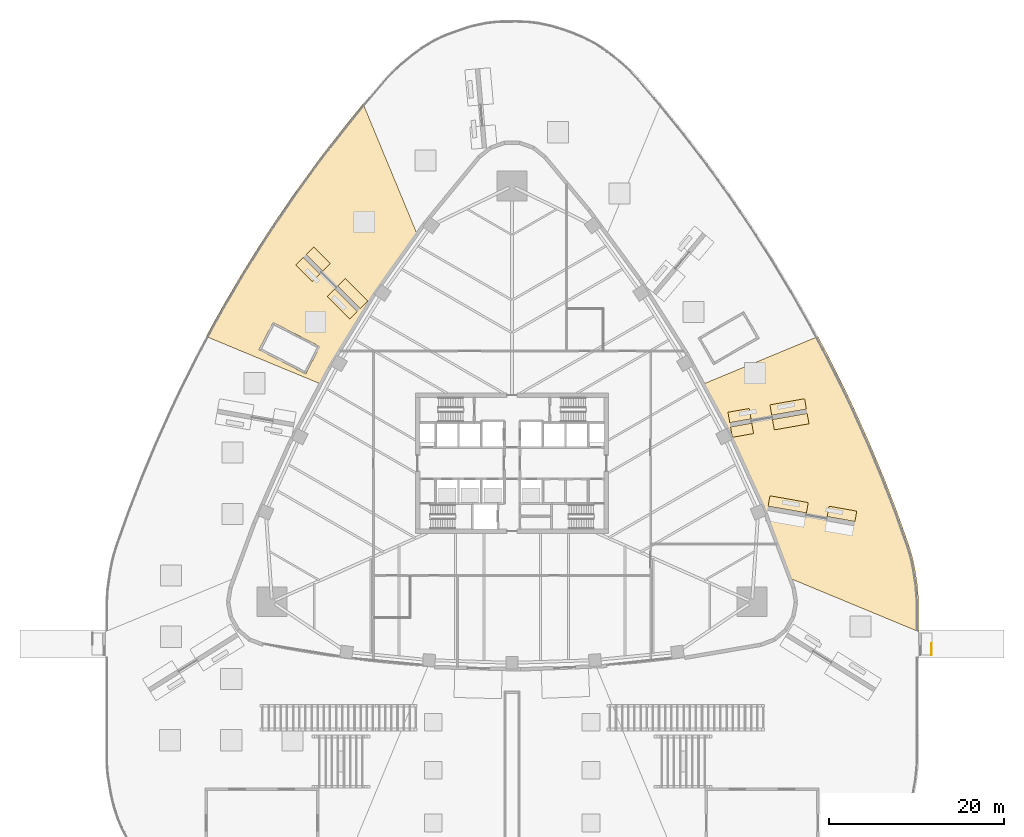
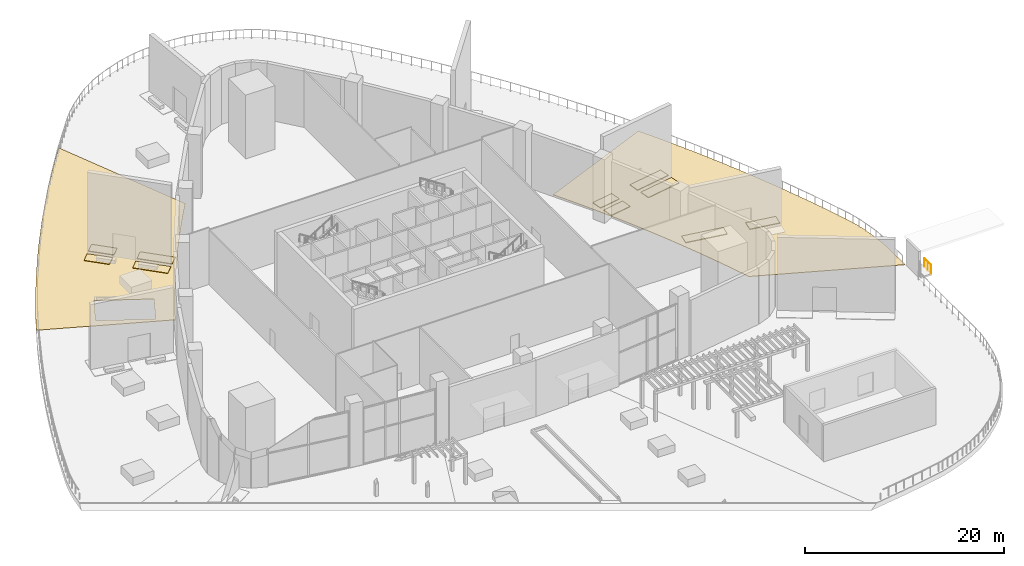
# One storey, part 18 of 20: 12 coverings, 1 railing.
"""IFC4 building model written with IfcOpenShell, lengths in metres."""

from ifc_helpers import new_model, si_unit, direction, frame, origin, origin_2d, place, context, subcontext, project, spatial, polyline, circle, outline, extrude, material, layer, layer_set, type_object, element, save


model = new_model("IFC4")

# Units and contexts
model_context = context("Model", 3, precision=1e-05, world=origin(), true_north=direction((0.0, 1.0)))
body_context = subcontext(model_context, "Body", "Model", "MODEL_VIEW")
ifc_project = project(units=[si_unit("LENGTHUNIT", "METRE"), si_unit("AREAUNIT", "SQUARE_METRE"), si_unit("VOLUMEUNIT", "CUBIC_METRE"), si_unit("PLANEANGLEUNIT", "RADIAN"), si_unit("MASSUNIT", "GRAM", prefix="KILO")], contexts=[model_context])

# Site, building, storey
site_placement = place(None, origin())
site = spatial("IfcSite", under=ifc_project, at=site_placement, CompositionType="ELEMENT")
building_placement = place(site_placement, origin())
building = spatial("IfcBuilding", under=site, at=building_placement, Name="Sierra Prisma Convention Tower", CompositionType="ELEMENT")
storey_placement = place(building_placement, frame((0.0, 0.0, 9.0)))
storey = spatial("IfcBuildingStorey", under=building, at=storey_placement, Name="L01", CompositionType="ELEMENT", Elevation=9.0)

# Coverings
ifc_material_1 = material(Name="Natural limestone pavers", Category="masonry")
ifc_layer_1 = layer(ifc_material_1, 0.06005859375)
ifc_layer_set_1 = layer_set([ifc_layer_1], Name="Deck paving, stone pavers")
covering_type_1 = type_object("IfcCoveringType", Name="Deck paving, stone pavers", PredefinedType="FLOORING", material=ifc_layer_set_1)
covering_1_placement = place(storey_placement, frame((0.0, 0.0, -0.06005859375)))
element("IfcCovering", 1, at=covering_1_placement, inside=storey, type_object=covering_type_1, Name="Deck paving 3", PredefinedType="FLOORING", context=body_context, shape_type="SweptSolid", body=[
    extrude(outline(polyline([(34.8603515625, 14.439697265625), (21.866943359375, 9.0576171875), (22.7373046875, 7.45068359375), (23.650390625, 5.70849609375), (24.539794921875, 3.954345703125), (25.405029296875, 2.18798828125), (26.246337890625, 0.41015625), (27.0634765625, -1.37890625), (27.85595703125, -3.178955078125), (28.6240234375, -4.98974609375), (29.367431640625, -6.810546875), (30.0859375, -8.6416015625), (30.779541015625, -10.48193359375), (31.447998046875, -12.331787109375), (31.728515625, -13.142333984375), (46.348388671875, -19.1982421875), (46.346923828125, -15.666259765625), (46.206787109375, -13.87548828125), (45.954833984375, -12.228515625), (45.761962890625, -11.231201171875), (45.5478515625, -10.3740234375), (45.2490234375, -9.4033203125), (43.89208984375, -5.577392578125), (42.38720703125, -1.66455078125), (40.73095703125, 2.3193359375), (38.99560546875, 6.19482421875), (37.962158203125, 8.37841796875), (36.121826171875, 12.069091796875), (34.8603515625, 14.439697265625)])), origin(), (0.0, 0.0, 1.0), 0.06005859375),
])
covering_2_placement = place(storey_placement, frame((0.0, 0.0, -0.06005859375)))
element("IfcCovering", 2, at=covering_2_placement, inside=storey, type_object=covering_type_1, Name="Deck paving 6", PredefinedType="FLOORING", context=body_context, shape_type="SweptSolid", body=[
    extrude(outline(polyline([(-34.861083984375, 14.43994140625), (-21.866943359375, 9.0576171875), (-21.800537109375, 9.18017578125), (-20.84033203125, 10.896728515625), (-19.85693359375, 12.60009765625), (-18.8505859375, 14.289794921875), (-17.821044921875, 15.9658203125), (-16.76904296875, 17.62744140625), (-15.6943359375, 19.27490234375), (-14.597412109375, 20.907470703125), (-13.478515625, 22.52490234375), (-12.337646484375, 24.126953125), (-11.175048828125, 25.713623046875), (-10.836669921875, 26.162109375), (-16.971435546875, 40.972900390625), (-16.993896484375, 40.946533203125), (-18.52587890625, 39.07861328125), (-21.07470703125, 35.83642578125), (-22.487548828125, 33.96142578125), (-24.90185546875, 30.6181640625), (-27.2958984375, 27.11083984375), (-28.615966796875, 25.087646484375), (-30.797607421875, 21.587890625), (-32.94775390625, 17.926025390625), (-34.127197265625, 15.81787109375), (-34.861083984375, 14.43994140625)]), holes=[polyline([(-21.90576171875, 13.29296875), (-23.512939453125, 10.18359375), (-28.843017578125, 12.938720703125), (-27.23583984375, 16.0478515625), (-21.90576171875, 13.29296875)])]), origin(), (0.0, 0.0, 1.0), 0.06005859375),
])
ifc_material_2 = material(Name="Crushed limestone gravel", Category="masonry")
ifc_layer_2 = layer(ifc_material_2, 0.050048828125)
ifc_layer_set_2 = layer_set([ifc_layer_2], Name="Gravel border")
covering_type_2 = type_object("IfcCoveringType", Name="Gravel border", PredefinedType="FLOORING", material=ifc_layer_set_2)
covering_3_placement = place(storey_placement, origin())
element("IfcCovering", 3, at=covering_3_placement, inside=storey, type_object=covering_type_2, Name="Wind-scour gravel border", PredefinedType="FLOORING", context=body_context, shape_type="SweptSolid", body=[
    extrude(outline(polyline([(24.815185546875, 4.62939453125), (27.236083984375, 5.056396484375), (27.027587890625, 6.238037109375), (24.60693359375, 5.811279296875), (24.815185546875, 4.62939453125)])), origin(), (0.0, 0.0, 1.0), 0.050048828125),
])
covering_4_placement = place(storey_placement, origin())
element("IfcCovering", 4, at=covering_4_placement, inside=storey, type_object=covering_type_2, Name="Wind-scour gravel border", PredefinedType="FLOORING", context=body_context, shape_type="SweptSolid", body=[
    extrude(outline(polyline([(24.902099609375, 4.13720703125), (27.32275390625, 4.56396484375), (27.53125, 3.382080078125), (25.110595703125, 2.955322265625), (24.902099609375, 4.13720703125)])), origin(), (0.0, 0.0, 1.0), 0.050048828125),
])
covering_5_placement = place(storey_placement, origin())
element("IfcCovering", 5, at=covering_5_placement, inside=storey, type_object=covering_type_2, Name="Wind-scour gravel border", PredefinedType="FLOORING", context=body_context, shape_type="SweptSolid", body=[
    extrude(outline(polyline([(29.599609375, 5.472900390625), (33.549072265625, 6.16943359375), (33.3408203125, 7.351318359375), (29.39111328125, 6.65478515625), (29.599609375, 5.472900390625)])), origin(), (0.0, 0.0, 1.0), 0.050048828125),
])
covering_6_placement = place(storey_placement, origin())
element("IfcCovering", 6, at=covering_6_placement, inside=storey, type_object=covering_type_2, Name="Wind-scour gravel border", PredefinedType="FLOORING", context=body_context, shape_type="SweptSolid", body=[
    extrude(outline(polyline([(29.686279296875, 4.980712890625), (33.635986328125, 5.677001953125), (33.84423828125, 4.495361328125), (29.894775390625, 3.798828125), (29.686279296875, 4.980712890625)])), origin(), (0.0, 0.0, 1.0), 0.050048828125),
])
covering_7_placement = place(storey_placement, origin())
element("IfcCovering", 7, at=covering_7_placement, inside=storey, type_object=covering_type_2, Name="Wind-scour gravel border", PredefinedType="FLOORING", context=body_context, shape_type="SweptSolid", body=[
    extrude(outline(polyline([(-17.632080078125, 17.278564453125), (-20.217529296875, 19.864013671875), (-21.066162109375, 19.015380859375), (-18.480712890625, 16.43017578125), (-17.632080078125, 17.278564453125)])), origin(), (0.0, 0.0, 1.0), 0.050048828125),
])
covering_8_placement = place(storey_placement, origin())
element("IfcCovering", 8, at=covering_8_placement, inside=storey, type_object=covering_type_2, Name="Wind-scour gravel border", PredefinedType="FLOORING", context=body_context, shape_type="SweptSolid", body=[
    extrude(outline(polyline([(-17.278564453125, 17.632080078125), (-19.864013671875, 20.217529296875), (-19.015380859375, 21.066162109375), (-16.43017578125, 18.480712890625), (-17.278564453125, 17.632080078125)])), origin(), (0.0, 0.0, 1.0), 0.050048828125),
])
covering_9_placement = place(storey_placement, origin())
element("IfcCovering", 9, at=covering_9_placement, inside=storey, type_object=covering_type_2, Name="Wind-scour gravel border", PredefinedType="FLOORING", context=body_context, shape_type="SweptSolid", body=[
    extrude(outline(polyline([(-21.91455078125, 21.56103515625), (-23.786865234375, 23.43310546875), (-24.63525390625, 22.584716796875), (-22.76318359375, 20.71240234375), (-21.91455078125, 21.56103515625)])), origin(), (0.0, 0.0, 1.0), 0.050048828125),
])
covering_10_placement = place(storey_placement, origin())
element("IfcCovering", 10, at=covering_10_placement, inside=storey, type_object=covering_type_2, Name="Wind-scour gravel border", PredefinedType="FLOORING", context=body_context, shape_type="SweptSolid", body=[
    extrude(outline(polyline([(-21.56103515625, 21.91455078125), (-23.43310546875, 23.786865234375), (-22.584716796875, 24.63525390625), (-20.71240234375, 22.76318359375), (-21.56103515625, 21.91455078125)])), origin(), (0.0, 0.0, 1.0), 0.050048828125),
])
covering_11_placement = place(storey_placement, origin())
element("IfcCovering", 11, at=covering_11_placement, inside=storey, type_object=covering_type_2, Name="Wind-scour gravel border", PredefinedType="FLOORING", context=body_context, shape_type="SweptSolid", body=[
    extrude(outline(polyline([(29.185302734375, -4.892333984375), (33.5537109375, -5.66259765625), (33.76220703125, -4.480712890625), (29.3935546875, -3.71044921875), (29.185302734375, -4.892333984375)])), origin(), (0.0, 0.0, 1.0), 0.050048828125),
])
covering_12_placement = place(storey_placement, origin())
element("IfcCovering", 12, at=covering_12_placement, inside=storey, type_object=covering_type_2, Name="Wind-scour gravel border", PredefinedType="FLOORING", context=body_context, shape_type="SweptSolid", body=[
    extrude(outline(polyline([(35.917236328125, -6.079345703125), (39.080810546875, -6.63720703125), (39.2890625, -5.455322265625), (36.125732421875, -4.897705078125), (35.917236328125, -6.079345703125)])), origin(), (0.0, 0.0, 1.0), 0.050048828125),
])

# Railing
ifc_material_3 = material(Name="Stainless steel", Category="steel")
railing_type = type_object("IfcRailingType", Name="Stair guard 1100", PredefinedType="GUARDRAIL", material=ifc_material_3)
railing_placement = place(storey_placement, frame((47.799072265625, -21.875, 0.0)))
element("IfcRailing", 13, at=railing_placement, inside=storey, type_object=railing_type, Name="L01 EX2 top well guard 1", PredefinedType="GUARDRAIL", context=body_context, shape_type="SweptSolid", body=[
    extrude(circle(Radius=0.02392578125, at=origin_2d()), frame((0.0, 0.0, 1.076171875), z_axis=(0.0, 1.0, 0.0), x_axis=(-1.0, 0.0, 0.0)), (0.0, 0.0, 1.0), 1.35009765625),
    extrude(circle(Radius=0.02099609375, at=origin_2d()), origin(), (0.0, 0.0, 1.0), 1.052001953125),
    extrude(circle(Radius=0.02099609375, at=origin_2d()), frame((0.0, 0.675048828125, 0.0)), (0.0, 0.0, 1.0), 1.052001953125),
    extrude(circle(Radius=0.02099609375, at=origin_2d()), frame((0.0, 1.35009765625, 0.0)), (0.0, 0.0, 1.0), 1.052001953125),
])

save(model, "model.ifc")
